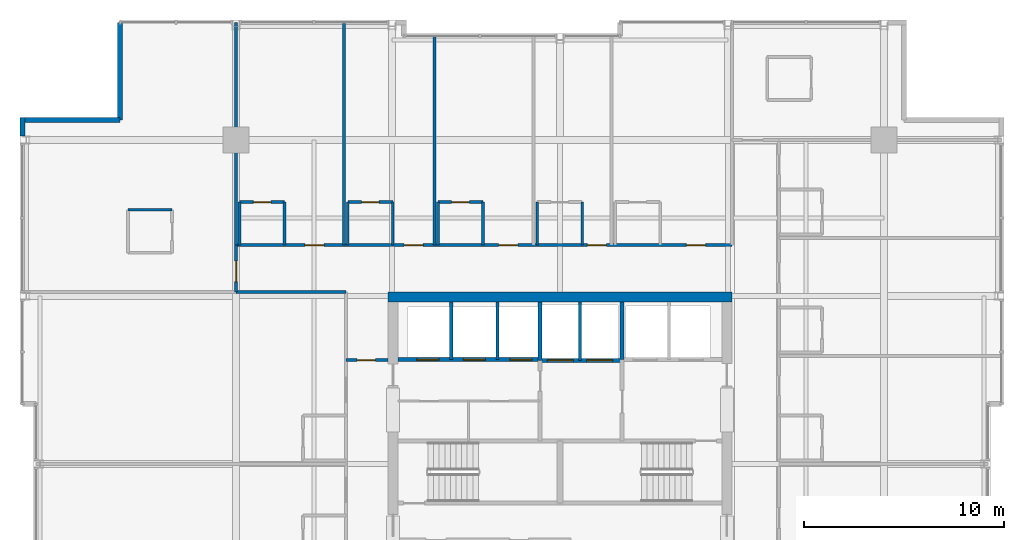
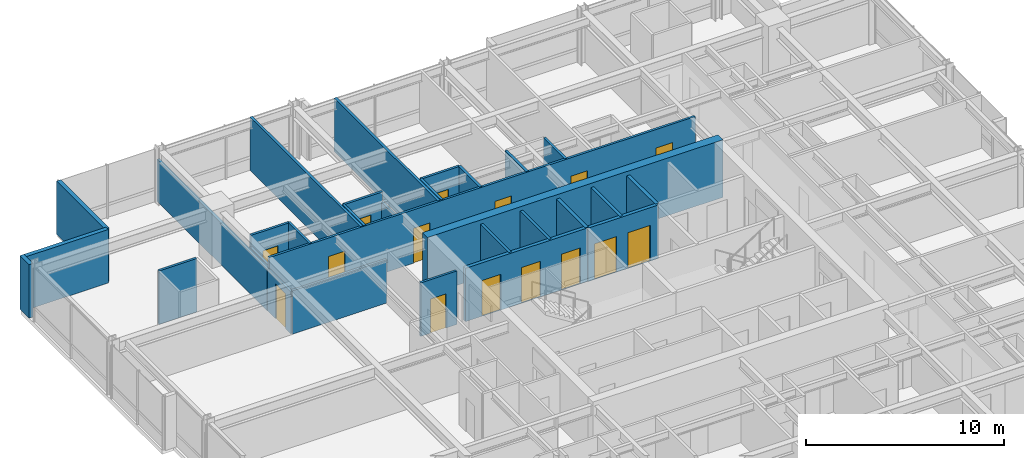
# One storey, part 29 of 32: 30 walls, 15 doors, 15 openings.
"""IFC4 building model written with IfcOpenShell, lengths in metres."""

import ifcopenshell
import ifcopenshell.guid

model = None  # the IFC model being written
_history = None  # IfcOwnerHistory: only IFC2X3 demands one
_inside = {}  # id of a spatial element -> (the spatial element, [elements in it])
_under = {}  # id of a project, library or spatial element -> (it, [spatial elements below it])
_declared = {}  # id of a project -> (the project, [libraries it declares])
_typed = {}  # id of a type object -> (the type object, [elements of that type])
_made_of = {}  # id of a material, layer set ... -> (it, [elements and type objects made of it])


def new_model(schema):
    """Start an empty IFC model of exactly this schema.

    Asked for "IFC4X3", IfcOpenShell would pick the latest addendum, in which some entities
    have other attributes; the version numbers below select the first issue.
    IFC2X3 requires an IfcOwnerHistory on every rooted entity: one is made here for all.
    """
    global model, _history
    if schema == "IFC4X3":
        model = ifcopenshell.file(schema_version=(4, 3, 0, 0))
    else:
        model = ifcopenshell.file(schema=schema)
    _inside.clear()
    _under.clear()
    _declared.clear()
    _typed.clear()
    _made_of.clear()
    _history = None
    if model.schema == "IFC2X3":
        org = make("IfcOrganization", Name="unknown")
        user = make(
            "IfcPersonAndOrganization",
            ThePerson=make("IfcPerson", FamilyName="unknown"),
            TheOrganization=org,
        )
        app = make(
            "IfcApplication",
            ApplicationDeveloper=org,
            Version="unknown",
            ApplicationFullName="unknown",
            ApplicationIdentifier="unknown",
        )
        _history = make(
            "IfcOwnerHistory",
            OwningUser=user,
            OwningApplication=app,
            ChangeAction="ADDED",
            CreationDate=0,
        )
    return model


def make(cls, **values):
    """One entity of the class cls with the attributes given. An attribute that is None is left unset."""
    return model.create_entity(
        cls, **{name: value for name, value in values.items() if value is not None}
    )


def rooted(cls, **values):
    """An entity with a GlobalId (a new one), such as an element, a storey or a relation."""
    return make(cls, GlobalId=ifcopenshell.guid.new(), OwnerHistory=_history, **values)


def si_unit(unit_type, name, prefix=None):
    """IfcSIUnit, for example si_unit("LENGTHUNIT", "METRE", prefix="MILLI")."""
    return make("IfcSIUnit", UnitType=unit_type, Prefix=prefix, Name=name)


def assignment(units):
    """IfcUnitAssignment: the units of a project."""
    return None if units is None else make("IfcUnitAssignment", Units=units)


def point(xyz):
    """IfcCartesianPoint."""
    return None if xyz is None else make("IfcCartesianPoint", Coordinates=xyz)


def direction(xyz):
    """IfcDirection."""
    return None if xyz is None else make("IfcDirection", DirectionRatios=xyz)


def frame(location, z_axis=None, x_axis=None):
    """IfcAxis2Placement3D, a coordinate frame: its origin and axes. An axis left out is left unset."""
    return make(
        "IfcAxis2Placement3D",
        Location=point(location),
        Axis=direction(z_axis),
        RefDirection=direction(x_axis),
    )


def frame_2d(location, x_axis=None):
    """IfcAxis2Placement2D, a coordinate frame in the plane: its origin and x axis."""
    return make(
        "IfcAxis2Placement2D", Location=point(location), RefDirection=direction(x_axis)
    )


def origin():
    """The frame at (0, 0, 0) with its axes left unset."""
    return frame((0.0, 0.0, 0.0))


def place(relative_to, where):
    """IfcLocalPlacement: puts the frame where relative to a parent placement (None: the world)."""
    return make(
        "IfcLocalPlacement", PlacementRelTo=relative_to, RelativePlacement=where
    )


def context(
    kind, dimensions, precision=None, world=None, true_north=None, identifier=None
):
    """IfcGeometricRepresentationContext, for example the 3D "Model" context."""
    return make(
        "IfcGeometricRepresentationContext",
        ContextIdentifier=identifier,
        ContextType=kind,
        CoordinateSpaceDimension=dimensions,
        Precision=precision,
        WorldCoordinateSystem=world,
        TrueNorth=true_north,
    )


def subcontext(parent, identifier, kind, view, scale=None):
    """IfcGeometricRepresentationSubContext, for example "Body" below "Model"."""
    return make(
        "IfcGeometricRepresentationSubContext",
        ContextIdentifier=identifier,
        ContextType=kind,
        ParentContext=parent,
        TargetScale=scale,
        TargetView=view,
    )


def project(units=None, contexts=None):
    """IfcProject with its units and contexts."""
    return rooted(
        "IfcProject",
        Name="project",
        RepresentationContexts=contexts,
        UnitsInContext=assignment(units),
    )


def spatial(cls, under=None, at=None, **own):
    """A site, building, storey or space (cls), placed at a placement, below another one or the project."""
    s = rooted(cls, ObjectPlacement=at, **own)
    if under is not None:
        _under.setdefault(under.id(), (under, []))[1].append(s)
    return s


def profile(cls, at=None, kind="AREA", **sizes):
    """A parametric profile (cls). Its sizes go by their IFC names, for example OverallWidth=200.0."""
    return make(cls, ProfileType=kind, Position=at, **sizes)


def rectangle(**sizes):
    """IfcRectangleProfileDef."""
    return profile("IfcRectangleProfileDef", **sizes)


def extrude(swept, where, along, depth):
    """IfcExtrudedAreaSolid: the profile swept, set in the frame where, extruded along a direction by depth."""
    return make(
        "IfcExtrudedAreaSolid",
        SweptArea=swept,
        Position=where,
        ExtrudedDirection=direction(along),
        Depth=depth,
    )


def shape(context_of_items, identifier, shape_type, items):
    """IfcShapeRepresentation: the items that make up one representation, for example the "Body"."""
    return make(
        "IfcShapeRepresentation",
        ContextOfItems=context_of_items,
        RepresentationIdentifier=identifier,
        RepresentationType=shape_type,
        Items=items,
    )


def material(Name=None, Category=None):
    """IfcMaterial."""
    return make("IfcMaterial", Name=Name, Category=Category)


def layer(
    of_material, thickness, ventilated=None, Name=None, Category=None, Priority=None
):
    """IfcMaterialLayer: one layer of a wall or slab, of a material (None: an air gap)."""
    return make(
        "IfcMaterialLayer",
        Material=of_material,
        LayerThickness=thickness,
        IsVentilated=ventilated,
        Name=Name,
        Category=Category,
        Priority=Priority,
    )


def layer_set(layers, Name=None):
    """IfcMaterialLayerSet."""
    return make("IfcMaterialLayerSet", MaterialLayers=layers, LayerSetName=Name)


def made_of(thing, what):
    """Note that an element or type object is made of a material, layer set ...; save() writes the relation."""
    if what is not None:
        _made_of.setdefault(what.id(), (what, []))[1].append(thing)
    return thing


def type_object(cls, material=None, **own):
    """A type object (cls), such as IfcWallType, which elements share."""
    return made_of(rooted(cls, **own), material)


def element(
    cls,
    number,
    at=None,
    inside=None,
    cuts=None,
    type_object=None,
    material=None,
    context=None,
    identifier="Body",
    shape_type=None,
    held_by="IfcProductDefinitionShape",
    body=None,
    shapes=None,
    **own,
):
    """One element of the class cls, such as IfcWall. Its Tag is "e" and its number.

    at: its placement. inside: the storey or other place that contains it. cuts: it is an
    opening in that element (IfcRelVoidsElement). A single representation is given by context,
    identifier, shape_type and body (its items); several are given by shapes. held_by: the class
    of the entity that holds the representations. save() writes the other relations.
    """
    e = rooted(cls, Tag="e%d" % number, ObjectPlacement=at, **own)
    if body is not None:
        shapes = [shape(context, identifier, shape_type, body)]
    if shapes is not None:
        e.Representation = make(held_by, Representations=shapes)
    if inside is not None:
        _inside.setdefault(inside.id(), (inside, []))[1].append(e)
    if cuts is not None:
        rooted(
            "IfcRelVoidsElement", RelatingBuildingElement=cuts, RelatedOpeningElement=e
        )
    if type_object is not None:
        _typed.setdefault(type_object.id(), (type_object, []))[1].append(e)
    return made_of(e, material)


def fill(opening, filler):
    """IfcRelFillsElement: the door or window that sits in an opening."""
    return rooted(
        "IfcRelFillsElement",
        RelatingOpeningElement=opening,
        RelatedBuildingElement=filler,
    )


def aggregate(whole, parts):
    """IfcRelAggregates: a whole, such as a stair, and the parts it consists of."""
    return rooted("IfcRelAggregates", RelatingObject=whole, RelatedObjects=parts)


def save(model, path):
    """Write the relations noted so far, then the file.

    IfcRelAggregates (storeys below a building ...), IfcRelContainedInSpatialStructure (elements
    in a storey), IfcRelDefinesByType, IfcRelAssociatesMaterial and IfcRelDeclares: one each for
    every whole, place, type object, material and project.
    """
    for whole, parts in _under.values():
        aggregate(whole, parts)
    for where, things in _inside.values():
        rooted(
            "IfcRelContainedInSpatialStructure",
            RelatedElements=things,
            RelatingStructure=where,
        )
    for kind, things in _typed.values():
        rooted("IfcRelDefinesByType", RelatedObjects=things, RelatingType=kind)
    for what, things in _made_of.values():
        rooted("IfcRelAssociatesMaterial", RelatedObjects=things, RelatingMaterial=what)
    for by, libraries in _declared.values():
        rooted("IfcRelDeclares", RelatingContext=by, RelatedDefinitions=libraries)
    model.write(path)


model = new_model("IFC4")

# Units and contexts
model_context = context("Model", 3, precision=1e-05, world=origin(), true_north=direction((0.0, 1.0)))
body_context = subcontext(model_context, "Body", "Model", "MODEL_VIEW")
ifc_project = project(units=[si_unit("LENGTHUNIT", "METRE"), si_unit("AREAUNIT", "SQUARE_METRE"), si_unit("VOLUMEUNIT", "CUBIC_METRE"), si_unit("PLANEANGLEUNIT", "RADIAN"), si_unit("MASSUNIT", "GRAM", prefix="KILO")], contexts=[model_context])

# Site, building, storey
site_placement = place(None, origin())
site = spatial("IfcSite", under=ifc_project, at=site_placement, CompositionType="ELEMENT")
building_placement = place(site_placement, origin())
building = spatial("IfcBuilding", under=site, at=building_placement, Name="Drelvath Grand Hotel", CompositionType="ELEMENT")
storey_placement = place(building_placement, frame((0.0, 0.0, 150.39990234375)))
storey = spatial("IfcBuildingStorey", under=building, at=storey_placement, Name="L38", CompositionType="ELEMENT", Elevation=150.39990234375)

# Wall
ifc_material_1 = material(Name="Concrete C40/50", Category="concrete")
ifc_layer_1 = layer(ifc_material_1, 0.199951171875)
ifc_layer_set_1 = layer_set([ifc_layer_1], Name="Concrete C40/50")
wall_type_1 = type_object("IfcWallType", Name="Core Hoistway Fire Wall 200", PredefinedType="SOLIDWALL", material=ifc_layer_set_1)
wall_1_placement = place(storey_placement, frame((3.10009765625, 32.219970703125, 0.0), z_axis=(0.0, 0.0, 1.0), x_axis=(0.0, 1.0, 0.0)))
element("IfcWall", 1, at=wall_1_placement, inside=storey, type_object=wall_type_1, Name="L38 FSAE Hoistway West Wall", PredefinedType="SOLIDWALL", context=body_context, shape_type="SweptSolid", body=[
    extrude(rectangle(XDim=2.880126953125, YDim=0.199951171875, at=frame_2d((1.43994140625, 0.0))), origin(), (0.0, 0.0, 1.0), 3.2900390625),
])

# Wall, openings, doors
wall_2_placement = place(storey_placement, frame((-1.0, 32.179931640625, 0.0), z_axis=(0.0, 0.0, 1.0), x_axis=(1.0, 0.0, 0.0)))
wall_2 = element("IfcWall", 2, at=wall_2_placement, inside=storey, type_object=wall_type_1, Name="L38 Service Lift Hoistway Wall", PredefinedType="SOLIDWALL", context=body_context, shape_type="SweptSolid", body=[
    extrude(rectangle(XDim=4.10009765625, YDim=0.199951171875, at=frame_2d((2.050048828125, 0.0))), origin(), (0.0, 0.0, 1.0), 3.2900390625),
])
opening_1_placement = place(wall_2_placement, frame((0.3701171875, 0.0, 0.0)))
opening_1 = element("IfcOpeningElement", 3, at=opening_1_placement, cuts=wall_2, Name="Opening LD-SV-2", PredefinedType="OPENING", context=body_context, shape_type="SweptSolid", body=[
    extrude(rectangle(XDim=1.300048828125, YDim=2.199951171875, at=frame_2d((0.64990234375, 1.10009765625))), frame((0.0, 0.10986328125, 0.0), z_axis=(0.0, -1.0, 0.0), x_axis=(1.0, 0.0, 0.0)), (0.0, 0.0, 1.0), 0.219970703125),
])
opening_2_placement = place(wall_2_placement, frame((2.330078125, 0.0, 0.0)))
opening_2 = element("IfcOpeningElement", 4, at=opening_2_placement, cuts=wall_2, Name="Opening LD-SV-1", PredefinedType="OPENING", context=body_context, shape_type="SweptSolid", body=[
    extrude(rectangle(XDim=1.300048828125, YDim=2.199951171875, at=frame_2d((0.64990234375, 1.10009765625))), frame((0.0, 0.10986328125, 0.0), z_axis=(0.0, -1.0, 0.0), x_axis=(1.0, 0.0, 0.0)), (0.0, 0.0, 1.0), 0.219970703125),
])
ifc_material_2 = material(Name="Stainless Steel S355", Category="steel")
door_type_1 = type_object("IfcDoorType", Name="Service Lift Sliding Landing Door 1300x2200", OperationType="NOTDEFINED", PredefinedType="DOOR", material=ifc_material_2)
door_1_placement = place(opening_1_placement, origin())
door_1 = element("IfcDoor", 5, at=door_1_placement, inside=storey, type_object=door_type_1, Name="L38 Lift SV-2 Landing Door", OperationType="SLIDING_TO_LEFT", OverallHeight=2.199951171875, OverallWidth=1.300048828125, PredefinedType="DOOR", context=body_context, shape_type="SweptSolid", body=[
    extrude(rectangle(XDim=1.300048828125, YDim=2.199951171875, at=frame_2d((0.64990234375, 1.10009765625))), frame((0.0, 0.02490234375, 0.0), z_axis=(0.0, -1.0, 0.0), x_axis=(1.0, 0.0, 0.0)), (0.0, 0.0, 1.0), 0.050048828125),
])
fill(opening_1, door_1)
door_2_placement = place(opening_2_placement, origin())
door_2 = element("IfcDoor", 6, at=door_2_placement, inside=storey, type_object=door_type_1, Name="L38 Lift SV-1 Landing Door", OperationType="SLIDING_TO_LEFT", OverallHeight=2.199951171875, OverallWidth=1.300048828125, PredefinedType="DOOR", context=body_context, shape_type="SweptSolid", body=[
    extrude(rectangle(XDim=1.300048828125, YDim=2.199951171875, at=frame_2d((0.64990234375, 1.10009765625))), frame((0.0, 0.02490234375, 0.0), z_axis=(0.0, -1.0, 0.0), x_axis=(1.0, 0.0, 0.0)), (0.0, 0.0, 1.0), 0.050048828125),
])
fill(opening_2, door_2)

# Wall
wall_3_placement = place(storey_placement, frame((-1.0, 32.179931640625, 0.0), z_axis=(0.0, 0.0, 1.0), x_axis=(0.0, 1.0, 0.0)))
element("IfcWall", 7, at=wall_3_placement, inside=storey, type_object=wall_type_1, Name="L38 Service Lift West Wall", PredefinedType="SOLIDWALL", context=body_context, shape_type="SweptSolid", body=[
    extrude(rectangle(XDim=2.920166015625, YDim=0.199951171875, at=frame_2d((1.4599609375, 0.0))), origin(), (0.0, 0.0, 1.0), 3.2900390625),
])

# Wall, openings, doors
wall_4_placement = place(storey_placement, frame((-8.10009765625, 32.219970703125, 0.0), z_axis=(0.0, 0.0, 1.0), x_axis=(1.0, 0.0, 0.0)))
wall_4 = element("IfcWall", 8, at=wall_4_placement, inside=storey, type_object=wall_type_1, Name="L38 Bank 3 Hoistway Wall", PredefinedType="SOLIDWALL", context=body_context, shape_type="SweptSolid", body=[
    extrude(rectangle(XDim=7.10009765625, YDim=0.199951171875, at=frame_2d((3.550048828125, 0.0))), origin(), (0.0, 0.0, 1.0), 3.2900390625),
])
opening_3_placement = place(wall_4_placement, frame((0.949951171875, 0.0, 0.0)))
opening_3 = element("IfcOpeningElement", 9, at=opening_3_placement, cuts=wall_4, Name="Opening LD-PE-7", PredefinedType="OPENING", context=body_context, shape_type="SweptSolid", body=[
    extrude(rectangle(XDim=1.10009765625, YDim=2.199951171875, at=frame_2d((0.550048828125, 1.10009765625))), frame((0.0, 0.10986328125, 0.0), z_axis=(0.0, -1.0, 0.0), x_axis=(1.0, 0.0, 0.0)), (0.0, 0.0, 1.0), 0.219970703125),
])
opening_4_placement = place(wall_4_placement, frame((3.27001953125, 0.0, 0.0)))
opening_4 = element("IfcOpeningElement", 10, at=opening_4_placement, cuts=wall_4, Name="Opening LD-PE-8", PredefinedType="OPENING", context=body_context, shape_type="SweptSolid", body=[
    extrude(rectangle(XDim=1.10009765625, YDim=2.199951171875, at=frame_2d((0.550048828125, 1.10009765625))), frame((0.0, 0.10986328125, 0.0), z_axis=(0.0, -1.0, 0.0), x_axis=(1.0, 0.0, 0.0)), (0.0, 0.0, 1.0), 0.219970703125),
])
opening_5_placement = place(wall_4_placement, frame((5.590087890625, 0.0, 0.0)))
opening_5 = element("IfcOpeningElement", 11, at=opening_5_placement, cuts=wall_4, Name="Opening LD-PE-9", PredefinedType="OPENING", context=body_context, shape_type="SweptSolid", body=[
    extrude(rectangle(XDim=1.10009765625, YDim=2.199951171875, at=frame_2d((0.550048828125, 1.10009765625))), frame((0.0, 0.10986328125, 0.0), z_axis=(0.0, -1.0, 0.0), x_axis=(1.0, 0.0, 0.0)), (0.0, 0.0, 1.0), 0.219970703125),
])
door_type_2 = type_object("IfcDoorType", Name="Passenger Lift Sliding Landing Door 1100x2200", OperationType="NOTDEFINED", PredefinedType="DOOR", material=ifc_material_2)
door_3_placement = place(opening_3_placement, origin())
door_3 = element("IfcDoor", 12, at=door_3_placement, inside=storey, type_object=door_type_2, Name="L38 Lift PE-7 Landing Door", OperationType="SLIDING_TO_LEFT", OverallHeight=2.199951171875, OverallWidth=1.10009765625, PredefinedType="DOOR", context=body_context, shape_type="SweptSolid", body=[
    extrude(rectangle(XDim=1.10009765625, YDim=2.199951171875, at=frame_2d((0.550048828125, 1.10009765625))), frame((0.0, 0.02490234375, 0.0), z_axis=(0.0, -1.0, 0.0), x_axis=(1.0, 0.0, 0.0)), (0.0, 0.0, 1.0), 0.050048828125),
])
fill(opening_3, door_3)
door_4_placement = place(opening_4_placement, origin())
door_4 = element("IfcDoor", 13, at=door_4_placement, inside=storey, type_object=door_type_2, Name="L38 Lift PE-8 Landing Door", OperationType="SLIDING_TO_LEFT", OverallHeight=2.199951171875, OverallWidth=1.10009765625, PredefinedType="DOOR", context=body_context, shape_type="SweptSolid", body=[
    extrude(rectangle(XDim=1.10009765625, YDim=2.199951171875, at=frame_2d((0.550048828125, 1.10009765625))), frame((0.0, 0.02490234375, 0.0), z_axis=(0.0, -1.0, 0.0), x_axis=(1.0, 0.0, 0.0)), (0.0, 0.0, 1.0), 0.050048828125),
])
fill(opening_4, door_4)
door_5_placement = place(opening_5_placement, origin())
door_5 = element("IfcDoor", 14, at=door_5_placement, inside=storey, type_object=door_type_2, Name="L38 Lift PE-9 Landing Door", OperationType="SLIDING_TO_LEFT", OverallHeight=2.199951171875, OverallWidth=1.10009765625, PredefinedType="DOOR", context=body_context, shape_type="SweptSolid", body=[
    extrude(rectangle(XDim=1.10009765625, YDim=2.199951171875, at=frame_2d((0.550048828125, 1.10009765625))), frame((0.0, 0.02490234375, 0.0), z_axis=(0.0, -1.0, 0.0), x_axis=(1.0, 0.0, 0.0)), (0.0, 0.0, 1.0), 0.050048828125),
])
fill(opening_5, door_5)

# Walls
ifc_material_3 = material(Name="Gypsum Fireboard Partition")
ifc_layer_2 = layer(ifc_material_3, 0.1650390625)
ifc_layer_set_2 = layer_set([ifc_layer_2], Name="Gypsum Fireboard Partition")
wall_type_2 = type_object("IfcWallType", Name="Core Shaft Partition 165", PredefinedType="PARTITIONING", material=ifc_layer_set_2)
wall_5_placement = place(storey_placement, frame((1.0, 32.179931640625, 0.0), z_axis=(0.0, 0.0, 1.0), x_axis=(0.0, 1.0, 0.0)))
element("IfcWall", 15, at=wall_5_placement, inside=storey, type_object=wall_type_2, Name="L38 Service Lift Divider", PredefinedType="PARTITIONING", context=body_context, shape_type="SweptSolid", body=[
    extrude(rectangle(XDim=2.920166015625, YDim=0.1650390625, at=frame_2d((1.4599609375, 0.0))), origin(), (0.0, 0.0, 1.0), 3.2900390625),
])
for number, where, z_axis, x_axis, name in (
    (16, (-5.43994140625, 32.219970703125, 0.0), (0.0, 0.0, 1.0), (0.0, 1.0, 0.0), "L38 Lift PE-7/8 Divider"),
    (17, (-3.1201171875, 32.219970703125, 0.0), (0.0, 0.0, 1.0), (0.0, 1.0, 0.0), "L38 Lift PE-8/9 Divider"),
):
    element("IfcWall", number, at=place(storey_placement, frame(where, z_axis=z_axis, x_axis=x_axis)), inside=storey, type_object=wall_type_2, Name=name, PredefinedType="PARTITIONING", context=body_context, shape_type="SweptSolid", body=[
        extrude(rectangle(XDim=2.880126953125, YDim=0.1650390625, at=frame_2d((1.43994140625, 0.0))), origin(), (0.0, 0.0, 1.0), 3.2900390625),
    ])

# Wall, opening, door
ifc_layer_3 = layer(ifc_material_3, 0.135009765625)
ifc_layer_set_3 = layer_set([ifc_layer_3], Name="Gypsum Fireboard Partition")
wall_type_3 = type_object("IfcWallType", Name="Corridor Fire Barrier Wall 135", PredefinedType="PARTITIONING", material=ifc_layer_set_3)
wall_6_placement = place(storey_placement, frame((-10.699951171875, 32.199951171875, 0.0), z_axis=(0.0, 0.0, 1.0), x_axis=(1.0, 0.0, 0.0)))
wall_6 = element("IfcWall", 18, at=wall_6_placement, inside=storey, type_object=wall_type_3, Name="L38 West Foyer North Wall", PredefinedType="PARTITIONING", context=body_context, shape_type="SweptSolid", body=[
    extrude(rectangle(XDim=2.099853515625, YDim=0.135009765625, at=frame_2d((1.0498046875, 0.0))), origin(), (0.0, 0.0, 1.0), 3.2900390625),
])
opening_6_placement = place(wall_6_placement, frame((0.550048828125, 0.0, 0.0)))
opening_6 = element("IfcOpeningElement", 19, at=opening_6_placement, cuts=wall_6, Name="Opening D-T3G1-025", PredefinedType="OPENING", context=body_context, shape_type="SweptSolid", body=[
    extrude(rectangle(XDim=0.919921875, YDim=2.10009765625, at=frame_2d((0.4599609375, 1.050048828125))), frame((0.0, 0.077392578125, 0.0), z_axis=(0.0, -1.0, 0.0), x_axis=(1.0, 0.0, 0.0)), (0.0, 0.0, 1.0), 0.155029296875),
])
ifc_material_4 = material(Name="Painted Steel S275", Category="steel")
door_type_3 = type_object("IfcDoorType", Name="Staff Utility Door 920x2100", OperationType="NOTDEFINED", PredefinedType="DOOR", material=ifc_material_4)
door_6_placement = place(opening_6_placement, origin())
door_6 = element("IfcDoor", 20, at=door_6_placement, inside=storey, type_object=door_type_3, Name="L38 West Pantry Door", OperationType="SINGLE_SWING_LEFT", OverallHeight=2.10009765625, OverallWidth=0.919921875, PredefinedType="DOOR", context=body_context, shape_type="SweptSolid", body=[
    extrude(rectangle(XDim=0.919921875, YDim=2.10009765625, at=frame_2d((0.4599609375, 1.050048828125))), frame((0.0, 0.02490234375, 0.0), z_axis=(0.0, -1.0, 0.0), x_axis=(1.0, 0.0, 0.0)), (0.0, 0.0, 1.0), 0.050048828125),
])
fill(opening_6, door_6)

# Wall
wall_7_placement = place(storey_placement, frame((-16.199951171875, 35.60009765625, 0.0), z_axis=(0.0, 0.0, 1.0), x_axis=(1.0, 0.0, 0.0)))
element("IfcWall", 21, at=wall_7_placement, inside=storey, type_object=wall_type_3, Name="L38 NW Stub South Wall", PredefinedType="PARTITIONING", context=body_context, shape_type="SweptSolid", body=[
    extrude(rectangle(XDim=5.5, YDim=0.135009765625, at=frame_2d((2.75, 0.0))), origin(), (0.0, 0.0, 1.0), 2.66748046875),
])

# Wall, openings, doors
wall_8_placement = place(storey_placement, frame((-16.199951171875, 37.949951171875, 0.0), z_axis=(0.0, 0.0, 1.0), x_axis=(1.0, 0.0, 0.0)))
wall_8 = element("IfcWall", 22, at=wall_8_placement, inside=storey, type_object=wall_type_3, Name="L38 North Stub Corridor Wall", PredefinedType="PARTITIONING", context=body_context, shape_type="SweptSolid", body=[
    extrude(rectangle(XDim=24.800048828125, YDim=0.135009765625, at=frame_2d((12.39990234375, 0.0))), origin(), (0.0, 0.0, 1.0), 3.2900390625),
])
opening_7_placement = place(wall_8_placement, frame((3.4404296875, 0.0, 0.0)))
opening_7 = element("IfcOpeningElement", 23, at=opening_7_placement, cuts=wall_8, Name="Opening D-T3G1-044", PredefinedType="OPENING", context=body_context, shape_type="SweptSolid", body=[
    extrude(rectangle(XDim=0.9599609375, YDim=2.14990234375, at=frame_2d((0.47998046875, 1.074951171875))), frame((0.0, 0.077392578125, 0.0), z_axis=(0.0, -1.0, 0.0), x_axis=(1.0, 0.0, 0.0)), (0.0, 0.0, 1.0), 0.155029296875),
])
opening_8_placement = place(wall_8_placement, frame((8.400390625, 0.0, 0.0)))
opening_8 = element("IfcOpeningElement", 24, at=opening_8_placement, cuts=wall_8, Name="Opening D-T3G1-046", PredefinedType="OPENING", context=body_context, shape_type="SweptSolid", body=[
    extrude(rectangle(XDim=0.9599609375, YDim=2.14990234375, at=frame_2d((0.47998046875, 1.074951171875))), frame((0.0, 0.077392578125, 0.0), z_axis=(0.0, -1.0, 0.0), x_axis=(1.0, 0.0, 0.0)), (0.0, 0.0, 1.0), 0.155029296875),
])
opening_9_placement = place(wall_8_placement, frame((13.135009765625, 0.0, 0.0)))
opening_9 = element("IfcOpeningElement", 25, at=opening_9_placement, cuts=wall_8, Name="Opening D-T3G1-048", PredefinedType="OPENING", context=body_context, shape_type="SweptSolid", body=[
    extrude(rectangle(XDim=0.9599609375, YDim=2.14990234375, at=frame_2d((0.47998046875, 1.074951171875))), frame((0.0, 0.077392578125, 0.0), z_axis=(0.0, -1.0, 0.0), x_axis=(1.0, 0.0, 0.0)), (0.0, 0.0, 1.0), 0.155029296875),
])
opening_10_placement = place(wall_8_placement, frame((17.56494140625, 0.0, 0.0)))
opening_10 = element("IfcOpeningElement", 26, at=opening_10_placement, cuts=wall_8, Name="Opening D-T3G1-050", PredefinedType="OPENING", context=body_context, shape_type="SweptSolid", body=[
    extrude(rectangle(XDim=0.9599609375, YDim=2.14990234375, at=frame_2d((0.47998046875, 1.074951171875))), frame((0.0, 0.077392578125, 0.0), z_axis=(0.0, -1.0, 0.0), x_axis=(1.0, 0.0, 0.0)), (0.0, 0.0, 1.0), 0.155029296875),
])
opening_11_placement = place(wall_8_placement, frame((22.52490234375, 0.0, 0.0)))
opening_11 = element("IfcOpeningElement", 27, at=opening_11_placement, cuts=wall_8, Name="Opening D-T3G1-052", PredefinedType="OPENING", context=body_context, shape_type="SweptSolid", body=[
    extrude(rectangle(XDim=0.9599609375, YDim=2.14990234375, at=frame_2d((0.47998046875, 1.074951171875))), frame((0.0, 0.077392578125, 0.0), z_axis=(0.0, -1.0, 0.0), x_axis=(1.0, 0.0, 0.0)), (0.0, 0.0, 1.0), 0.155029296875),
])
ifc_material_5 = material(Name="Hardwood Walnut Timber", Category="wood")
door_type_4 = type_object("IfcDoorType", Name="Guestroom Entrance Fire Door 960x2150", OperationType="NOTDEFINED", PredefinedType="DOOR", material=ifc_material_5)
door_7_placement = place(opening_7_placement, origin())
door_7 = element("IfcDoor", 28, at=door_7_placement, inside=storey, type_object=door_type_4, Name="L38 King Guest Room Entry Door", OperationType="SINGLE_SWING_RIGHT", OverallHeight=2.14990234375, OverallWidth=0.9599609375, PredefinedType="DOOR", context=body_context, shape_type="SweptSolid", body=[
    extrude(rectangle(XDim=0.9599609375, YDim=2.14990234375, at=frame_2d((0.47998046875, 1.074951171875))), frame((0.0, 0.02490234375, 0.0), z_axis=(0.0, -1.0, 0.0), x_axis=(1.0, 0.0, 0.0)), (0.0, 0.0, 1.0), 0.050048828125),
])
fill(opening_7, door_7)
door_8_placement = place(opening_8_placement, origin())
door_8 = element("IfcDoor", 29, at=door_8_placement, inside=storey, type_object=door_type_4, Name="L38 King Guest Room Entry Door", OperationType="SINGLE_SWING_RIGHT", OverallHeight=2.14990234375, OverallWidth=0.9599609375, PredefinedType="DOOR", context=body_context, shape_type="SweptSolid", body=[
    extrude(rectangle(XDim=0.9599609375, YDim=2.14990234375, at=frame_2d((0.47998046875, 1.074951171875))), frame((0.0, 0.02490234375, 0.0), z_axis=(0.0, -1.0, 0.0), x_axis=(1.0, 0.0, 0.0)), (0.0, 0.0, 1.0), 0.050048828125),
])
fill(opening_8, door_8)
door_9_placement = place(opening_9_placement, origin())
door_9 = element("IfcDoor", 30, at=door_9_placement, inside=storey, type_object=door_type_4, Name="L38 King Guest Room Entry Door", OperationType="SINGLE_SWING_RIGHT", OverallHeight=2.14990234375, OverallWidth=0.9599609375, PredefinedType="DOOR", context=body_context, shape_type="SweptSolid", body=[
    extrude(rectangle(XDim=0.9599609375, YDim=2.14990234375, at=frame_2d((0.47998046875, 1.074951171875))), frame((0.0, 0.02490234375, 0.0), z_axis=(0.0, -1.0, 0.0), x_axis=(1.0, 0.0, 0.0)), (0.0, 0.0, 1.0), 0.050048828125),
])
fill(opening_9, door_9)
door_10_placement = place(opening_10_placement, origin())
door_10 = element("IfcDoor", 31, at=door_10_placement, inside=storey, type_object=door_type_4, Name="L38 King Guest Room Entry Door", OperationType="SINGLE_SWING_RIGHT", OverallHeight=2.14990234375, OverallWidth=0.9599609375, PredefinedType="DOOR", context=body_context, shape_type="SweptSolid", body=[
    extrude(rectangle(XDim=0.9599609375, YDim=2.14990234375, at=frame_2d((0.47998046875, 1.074951171875))), frame((0.0, 0.02490234375, 0.0), z_axis=(0.0, -1.0, 0.0), x_axis=(1.0, 0.0, 0.0)), (0.0, 0.0, 1.0), 0.050048828125),
])
fill(opening_10, door_10)
door_11_placement = place(opening_11_placement, origin())
door_11 = element("IfcDoor", 32, at=door_11_placement, inside=storey, type_object=door_type_4, Name="L38 King Guest Room Entry Door", OperationType="SINGLE_SWING_RIGHT", OverallHeight=2.14990234375, OverallWidth=0.9599609375, PredefinedType="DOOR", context=body_context, shape_type="SweptSolid", body=[
    extrude(rectangle(XDim=0.9599609375, YDim=2.14990234375, at=frame_2d((0.47998046875, 1.074951171875))), frame((0.0, 0.02490234375, 0.0), z_axis=(0.0, -1.0, 0.0), x_axis=(1.0, 0.0, 0.0)), (0.0, 0.0, 1.0), 0.050048828125),
])
fill(opening_11, door_11)

# Wall, opening, door
wall_9_placement = place(storey_placement, frame((-16.199951171875, 35.60009765625, 0.0), z_axis=(0.0, 0.0, 1.0), x_axis=(0.0, 1.0, 0.0)))
wall_9 = element("IfcWall", 33, at=wall_9_placement, inside=storey, type_object=wall_type_3, Name="L38 North Stub West End", PredefinedType="PARTITIONING", context=body_context, shape_type="SweptSolid", body=[
    extrude(rectangle(XDim=2.349853515625, YDim=0.135009765625, at=frame_2d((1.1748046875, 0.0))), origin(), (0.0, 0.0, 1.0), 2.57958984375),
])
opening_12_placement = place(wall_9_placement, frame((0.52001953125, 0.0, 0.0)))
opening_12 = element("IfcOpeningElement", 34, at=opening_12_placement, cuts=wall_9, Name="Opening D-T3G1-029", PredefinedType="OPENING", context=body_context, shape_type="SweptSolid", body=[
    extrude(rectangle(XDim=1.02001953125, YDim=2.14990234375, at=frame_2d((0.510009765625, 1.074951171875))), frame((0.0, 0.077392578125, 0.0), z_axis=(0.0, -1.0, 0.0), x_axis=(1.0, 0.0, 0.0)), (0.0, 0.0, 1.0), 0.155029296875),
])
door_type_5 = type_object("IfcDoorType", Name="Amenity Meeting Fire Door 1020x2150", OperationType="NOTDEFINED", PredefinedType="DOOR", material=ifc_material_5)
door_12_placement = place(opening_12_placement, origin())
door_12 = element("IfcDoor", 35, at=door_12_placement, inside=storey, type_object=door_type_5, Name="L38 Executive Suite Entry Door", OperationType="SINGLE_SWING_LEFT", OverallHeight=2.14990234375, OverallWidth=1.02001953125, PredefinedType="DOOR", context=body_context, shape_type="SweptSolid", body=[
    extrude(rectangle(XDim=1.02001953125, YDim=2.14990234375, at=frame_2d((0.510009765625, 1.074951171875))), frame((0.0, 0.02490234375, 0.0), z_axis=(0.0, -1.0, 0.0), x_axis=(1.0, 0.0, 0.0)), (0.0, 0.0, 1.0), 0.050048828125),
])
fill(opening_12, door_12)

# Walls
ifc_material_6 = material(Name="Moisture-Resistant Gypsum Board")
ifc_layer_4 = layer(ifc_material_6, 0.139892578125)
ifc_layer_set_4 = layer_set([ifc_layer_4], Name="Moisture-Resistant Gypsum Board")
wall_type_4 = type_object("IfcWallType", Name="En-Suite Plumbing Wall 140", PredefinedType="PLUMBINGWALL", material=ifc_layer_set_4)
wall_10_placement = place(storey_placement, frame((-21.60009765625, 39.7099609375, 0.0), z_axis=(0.0, 0.0, 1.0), x_axis=(1.0, 0.0, 0.0)))
element("IfcWall", 36, at=wall_10_placement, inside=storey, type_object=wall_type_4, Name="L38 Corner En-Suite North", PredefinedType="PLUMBINGWALL", context=body_context, shape_type="SweptSolid", body=[
    extrude(rectangle(XDim=2.2001953125, YDim=0.139892578125, at=frame_2d((1.10009765625, 0.0))), origin(), (0.0, 0.0, 1.0), 3.2900390625),
])
wall_11_placement = place(storey_placement, frame((-16.02001953125, 37.949951171875, 0.0), z_axis=(0.0, 0.0, 1.0), x_axis=(0.0, 1.0, 0.0)))
element("IfcWall", 37, at=wall_11_placement, inside=storey, type_object=wall_type_4, Name="L38 En-Suite Left Wall", PredefinedType="PLUMBINGWALL", context=body_context, shape_type="SweptSolid", body=[
    extrude(rectangle(XDim=2.150146484375, YDim=0.139892578125, at=frame_2d((1.0751953125, 0.0))), origin(), (0.0, 0.0, 1.0), 2.57958984375),
])
wall_12_placement = place(storey_placement, frame((-13.77001953125, 37.949951171875, 0.0), z_axis=(0.0, 0.0, 1.0), x_axis=(0.0, 1.0, 0.0)))
element("IfcWall", 38, at=wall_12_placement, inside=storey, type_object=wall_type_4, Name="L38 En-Suite Right Wall", PredefinedType="PLUMBINGWALL", context=body_context, shape_type="SweptSolid", body=[
    extrude(rectangle(XDim=2.150146484375, YDim=0.139892578125, at=frame_2d((1.0751953125, 0.0))), origin(), (0.0, 0.0, 1.0), 3.2900390625),
])

# Wall, opening, door
wall_13_placement = place(storey_placement, frame((-16.02001953125, 40.10009765625, 0.0), z_axis=(0.0, 0.0, 1.0), x_axis=(1.0, 0.0, 0.0)))
wall_13 = element("IfcWall", 39, at=wall_13_placement, inside=storey, type_object=wall_type_4, Name="L38 En-Suite Front Wall", PredefinedType="PLUMBINGWALL", context=body_context, shape_type="SweptSolid", body=[
    extrude(rectangle(XDim=2.25, YDim=0.139892578125, at=frame_2d((1.125, 0.0))), origin(), (0.0, 0.0, 1.0), 3.2900390625),
])
opening_13_placement = place(wall_13_placement, frame((0.68505859375, 0.0, 0.0)))
opening_13 = element("IfcOpeningElement", 40, at=opening_13_placement, cuts=wall_13, Name="Opening D-T3G1-043", PredefinedType="OPENING", context=body_context, shape_type="SweptSolid", body=[
    extrude(rectangle(XDim=0.8798828125, YDim=2.10009765625, at=frame_2d((0.43994140625, 1.050048828125))), frame((0.0, 0.079833984375, 0.0), z_axis=(0.0, -1.0, 0.0), x_axis=(1.0, 0.0, 0.0)), (0.0, 0.0, 1.0), 0.159912109375),
])
door_type_6 = type_object("IfcDoorType", Name="En-Suite Bathroom Door 880x2100", OperationType="NOTDEFINED", PredefinedType="DOOR", material=ifc_material_5)
door_13_placement = place(opening_13_placement, origin())
door_13 = element("IfcDoor", 41, at=door_13_placement, inside=storey, type_object=door_type_6, Name="L38 En-Suite Bathroom Door", OperationType="SINGLE_SWING_LEFT", OverallHeight=2.10009765625, OverallWidth=0.8798828125, PredefinedType="DOOR", context=body_context, shape_type="SweptSolid", body=[
    extrude(rectangle(XDim=0.8798828125, YDim=2.10009765625, at=frame_2d((0.43994140625, 1.050048828125))), frame((0.0, 0.02490234375, 0.0), z_axis=(0.0, -1.0, 0.0), x_axis=(1.0, 0.0, 0.0)), (0.0, 0.0, 1.0), 0.050048828125),
])
fill(opening_13, door_13)

# Walls
wall_14_placement = place(storey_placement, frame((-10.609130859375, 37.949951171875, 0.0), z_axis=(0.0, 0.0, 1.0), x_axis=(0.0, 1.0, 0.0)))
element("IfcWall", 42, at=wall_14_placement, inside=storey, type_object=wall_type_4, Name="L38 En-Suite Left Wall", PredefinedType="PLUMBINGWALL", context=body_context, shape_type="SweptSolid", body=[
    extrude(rectangle(XDim=2.150146484375, YDim=0.139892578125, at=frame_2d((1.0751953125, 0.0))), origin(), (0.0, 0.0, 1.0), 3.2900390625),
])
wall_15_placement = place(storey_placement, frame((-8.359130859375, 37.949951171875, 0.0), z_axis=(0.0, 0.0, 1.0), x_axis=(0.0, 1.0, 0.0)))
element("IfcWall", 43, at=wall_15_placement, inside=storey, type_object=wall_type_4, Name="L38 En-Suite Right Wall", PredefinedType="PLUMBINGWALL", context=body_context, shape_type="SweptSolid", body=[
    extrude(rectangle(XDim=2.150146484375, YDim=0.139892578125, at=frame_2d((1.0751953125, 0.0))), origin(), (0.0, 0.0, 1.0), 2.66748046875),
])

# Wall, opening, door
wall_16_placement = place(storey_placement, frame((-10.609130859375, 40.10009765625, 0.0), z_axis=(0.0, 0.0, 1.0), x_axis=(1.0, 0.0, 0.0)))
wall_16 = element("IfcWall", 44, at=wall_16_placement, inside=storey, type_object=wall_type_4, Name="L38 En-Suite Front Wall", PredefinedType="PLUMBINGWALL", context=body_context, shape_type="SweptSolid", body=[
    extrude(rectangle(XDim=2.25, YDim=0.139892578125, at=frame_2d((1.125, 0.0))), origin(), (0.0, 0.0, 1.0), 3.2900390625),
])
opening_14_placement = place(wall_16_placement, frame((0.68505859375, 0.0, 0.0)))
opening_14 = element("IfcOpeningElement", 45, at=opening_14_placement, cuts=wall_16, Name="Opening D-T3G1-045", PredefinedType="OPENING", context=body_context, shape_type="SweptSolid", body=[
    extrude(rectangle(XDim=0.8798828125, YDim=2.10009765625, at=frame_2d((0.43994140625, 1.050048828125))), frame((0.0, 0.079833984375, 0.0), z_axis=(0.0, -1.0, 0.0), x_axis=(1.0, 0.0, 0.0)), (0.0, 0.0, 1.0), 0.159912109375),
])
door_14_placement = place(opening_14_placement, origin())
door_14 = element("IfcDoor", 46, at=door_14_placement, inside=storey, type_object=door_type_6, Name="L38 En-Suite Bathroom Door", OperationType="SINGLE_SWING_LEFT", OverallHeight=2.10009765625, OverallWidth=0.8798828125, PredefinedType="DOOR", context=body_context, shape_type="SweptSolid", body=[
    extrude(rectangle(XDim=0.8798828125, YDim=2.10009765625, at=frame_2d((0.43994140625, 1.050048828125))), frame((0.0, 0.02490234375, 0.0), z_axis=(0.0, -1.0, 0.0), x_axis=(1.0, 0.0, 0.0)), (0.0, 0.0, 1.0), 0.050048828125),
])
fill(opening_14, door_14)

# Walls
for number, where, z_axis, x_axis, name in (
    (47, (-6.10009765625, 37.949951171875, 0.0), (0.0, 0.0, 1.0), (0.0, 1.0, 0.0), "L38 En-Suite Left Wall"),
    (48, (-3.85009765625, 37.949951171875, 0.0), (0.0, 0.0, 1.0), (0.0, 1.0, 0.0), "L38 En-Suite Right Wall"),
):
    element("IfcWall", number, at=place(storey_placement, frame(where, z_axis=z_axis, x_axis=x_axis)), inside=storey, type_object=wall_type_4, Name=name, PredefinedType="PLUMBINGWALL", context=body_context, shape_type="SweptSolid", body=[
        extrude(rectangle(XDim=2.150146484375, YDim=0.139892578125, at=frame_2d((1.0751953125, 0.0))), origin(), (0.0, 0.0, 1.0), 3.2900390625),
    ])

# Wall, opening, door
wall_17_placement = place(storey_placement, frame((-6.10009765625, 40.10009765625, 0.0), z_axis=(0.0, 0.0, 1.0), x_axis=(1.0, 0.0, 0.0)))
wall_17 = element("IfcWall", 49, at=wall_17_placement, inside=storey, type_object=wall_type_4, Name="L38 En-Suite Front Wall", PredefinedType="PLUMBINGWALL", context=body_context, shape_type="SweptSolid", body=[
    extrude(rectangle(XDim=2.25, YDim=0.139892578125, at=frame_2d((1.125, 0.0))), origin(), (0.0, 0.0, 1.0), 3.2900390625),
])
opening_15_placement = place(wall_17_placement, frame((0.68505859375, 0.0, 0.0)))
opening_15 = element("IfcOpeningElement", 50, at=opening_15_placement, cuts=wall_17, Name="Opening D-T3G1-047", PredefinedType="OPENING", context=body_context, shape_type="SweptSolid", body=[
    extrude(rectangle(XDim=0.8798828125, YDim=2.10009765625, at=frame_2d((0.43994140625, 1.050048828125))), frame((0.0, 0.079833984375, 0.0), z_axis=(0.0, -1.0, 0.0), x_axis=(1.0, 0.0, 0.0)), (0.0, 0.0, 1.0), 0.159912109375),
])
door_15_placement = place(opening_15_placement, origin())
door_15 = element("IfcDoor", 51, at=door_15_placement, inside=storey, type_object=door_type_6, Name="L38 En-Suite Bathroom Door", OperationType="SINGLE_SWING_LEFT", OverallHeight=2.10009765625, OverallWidth=0.8798828125, PredefinedType="DOOR", context=body_context, shape_type="SweptSolid", body=[
    extrude(rectangle(XDim=0.8798828125, YDim=2.10009765625, at=frame_2d((0.43994140625, 1.050048828125))), frame((0.0, 0.02490234375, 0.0), z_axis=(0.0, -1.0, 0.0), x_axis=(1.0, 0.0, 0.0)), (0.0, 0.0, 1.0), 0.050048828125),
])
fill(opening_15, door_15)

# Walls
for number, where, z_axis, x_axis, name in (
    (52, (-1.139892578125, 37.949951171875, 0.0), (0.0, 0.0, 1.0), (0.0, 1.0, 0.0), "L38 En-Suite Left Wall"),
    (53, (1.110107421875, 37.949951171875, 0.0), (0.0, 0.0, 1.0), (0.0, 1.0, 0.0), "L38 En-Suite Right Wall"),
):
    element("IfcWall", number, at=place(storey_placement, frame(where, z_axis=z_axis, x_axis=x_axis)), inside=storey, type_object=wall_type_4, Name=name, PredefinedType="PLUMBINGWALL", context=body_context, shape_type="SweptSolid", body=[
        extrude(rectangle(XDim=2.150146484375, YDim=0.139892578125, at=frame_2d((1.0751953125, 0.0))), origin(), (0.0, 0.0, 1.0), 3.2900390625),
    ])
ifc_material_7 = material(Name="Gypsum Acoustic Partition")
ifc_layer_5 = layer(ifc_material_7, 0.14990234375)
ifc_layer_set_5 = layer_set([ifc_layer_5], Name="Gypsum Acoustic Partition")
wall_type_5 = type_object("IfcWallType", Name="Guestroom Demising Wall 150", PredefinedType="PARTITIONING", material=ifc_layer_set_5)
wall_18_placement = place(storey_placement, frame((-10.7890625, 37.949951171875, 0.0), z_axis=(0.0, 0.0, 1.0), x_axis=(0.0, 1.0, 0.0)))
element("IfcWall", 54, at=wall_18_placement, inside=storey, type_object=wall_type_5, Name="L38 North Demising 1", PredefinedType="PARTITIONING", context=body_context, shape_type="SweptSolid", body=[
    extrude(rectangle(XDim=11.130126953125, YDim=0.14990234375, at=frame_2d((5.56494140625, 0.0))), origin(), (0.0, 0.0, 1.0), 3.2900390625),
])
wall_19_placement = place(storey_placement, frame((-6.280029296875, 37.949951171875, 0.0), z_axis=(0.0, 0.0, 1.0), x_axis=(0.0, 1.0, 0.0)))
element("IfcWall", 55, at=wall_19_placement, inside=storey, type_object=wall_type_5, Name="L38 North Demising 2", PredefinedType="PARTITIONING", context=body_context, shape_type="SweptSolid", body=[
    extrude(rectangle(XDim=10.449951171875, YDim=0.14990234375, at=frame_2d((5.22509765625, 0.0))), origin(), (0.0, 0.0, 1.0), 3.2900390625),
])
ifc_layer_6 = layer(ifc_material_7, 0.1650390625)
ifc_layer_set_6 = layer_set([ifc_layer_6], Name="Gypsum Acoustic Partition")
wall_type_6 = type_object("IfcWallType", Name="Suite Demising Wall 165", PredefinedType="PARTITIONING", material=ifc_layer_set_6)
wall_20_placement = place(storey_placement, frame((-16.199951171875, 37.949951171875, 0.0), z_axis=(0.0, 0.0, 1.0), x_axis=(0.0, 1.0, 0.0)))
element("IfcWall", 56, at=wall_20_placement, inside=storey, type_object=wall_type_6, Name="L38 NW Suite East Wall", PredefinedType="PARTITIONING", context=body_context, shape_type="SweptSolid", body=[
    extrude(rectangle(XDim=11.130126953125, YDim=0.1650390625, at=frame_2d((5.56494140625, 0.0))), origin(), (0.0, 0.0, 1.0), 2.57958984375),
])
ifc_material_8 = material(Name="Pale-Metal Insulated Aluminium Spandrel Assembly", Category="aluminium")
ifc_layer_7 = layer(ifc_material_8, 0.239990234375)
ifc_layer_set_7 = layer_set([ifc_layer_7], Name="Pale-Metal Insulated Aluminium Spandrel Assembly")
wall_type_7 = type_object("IfcWallType", Name="Tower Insulated Metal Spandrel Closure Wall 240", PredefinedType="STANDARD", material=ifc_layer_set_7)
wall_21_placement = place(storey_placement, frame((-26.8798828125, 43.400146484375, 0.0), z_axis=(0.0, 0.0, 1.0), x_axis=(0.0, 1.0, 0.0)))
element("IfcWall", 57, at=wall_21_placement, inside=storey, type_object=wall_type_7, Name="L38 Corner Pier Spandrel Wall WN3", PredefinedType="STANDARD", context=body_context, shape_type="SweptSolid", body=[
    extrude(rectangle(XDim=0.919921875, YDim=0.239990234375, at=frame_2d((0.4599609375, 0.0))), origin(), (0.0, 0.0, 1.0), 3.2900390625),
])
wall_22_placement = place(storey_placement, frame((-26.760009765625, 44.199951171875, 0.0), z_axis=(0.0, 0.0, 1.0), x_axis=(1.0, 0.0, 0.0)))
element("IfcWall", 58, at=wall_22_placement, inside=storey, type_object=wall_type_7, Name="L38 Notched Corner Return Spandrel Wall CNW1", PredefinedType="STANDARD", context=body_context, shape_type="SweptSolid", body=[
    extrude(rectangle(XDim=4.760009765625, YDim=0.239990234375, at=frame_2d((2.3798828125, 0.0))), origin(), (0.0, 0.0, 1.0), 3.2900390625),
])
wall_23_placement = place(storey_placement, frame((-22.0, 44.199951171875, 0.0), z_axis=(0.0, 0.0, 1.0), x_axis=(0.0, 1.0, 0.0)))
element("IfcWall", 59, at=wall_23_placement, inside=storey, type_object=wall_type_7, Name="L38 Notched Corner Return Spandrel Wall CNW2", PredefinedType="STANDARD", context=body_context, shape_type="SweptSolid", body=[
    extrude(rectangle(XDim=4.880126953125, YDim=0.239990234375, at=frame_2d((2.43994140625, 0.0))), origin(), (0.0, 0.0, 1.0), 3.2900390625),
])
ifc_material_9 = material(Name="Concrete f'c 55 MPa", Category="concrete")
ifc_layer_8 = layer(ifc_material_9, 0.5)
ifc_layer_set_8 = layer_set([ifc_layer_8], Name="Concrete f'c 55 MPa")
wall_type_8 = type_object("IfcWallType", Name="Upper Core RC Shear Wall 500", PredefinedType="SHEAR", material=ifc_layer_set_8)
wall_24_placement = place(storey_placement, frame((-8.60009765625, 35.35009765625, 0.0), z_axis=(0.0, 0.0, 1.0), x_axis=(1.0, 0.0, 0.0)))
element("IfcWall", 60, at=wall_24_placement, inside=storey, type_object=wall_type_8, Name="L38 Central Core Shear Wall N", PredefinedType="SHEAR", context=body_context, shape_type="SweptSolid", body=[
    extrude(rectangle(XDim=17.2001953125, YDim=0.5, at=frame_2d((8.60009765625, 0.0))), origin(), (0.0, 0.0, 1.0), 3.550048828125),
])

save(model, "model.ifc")
